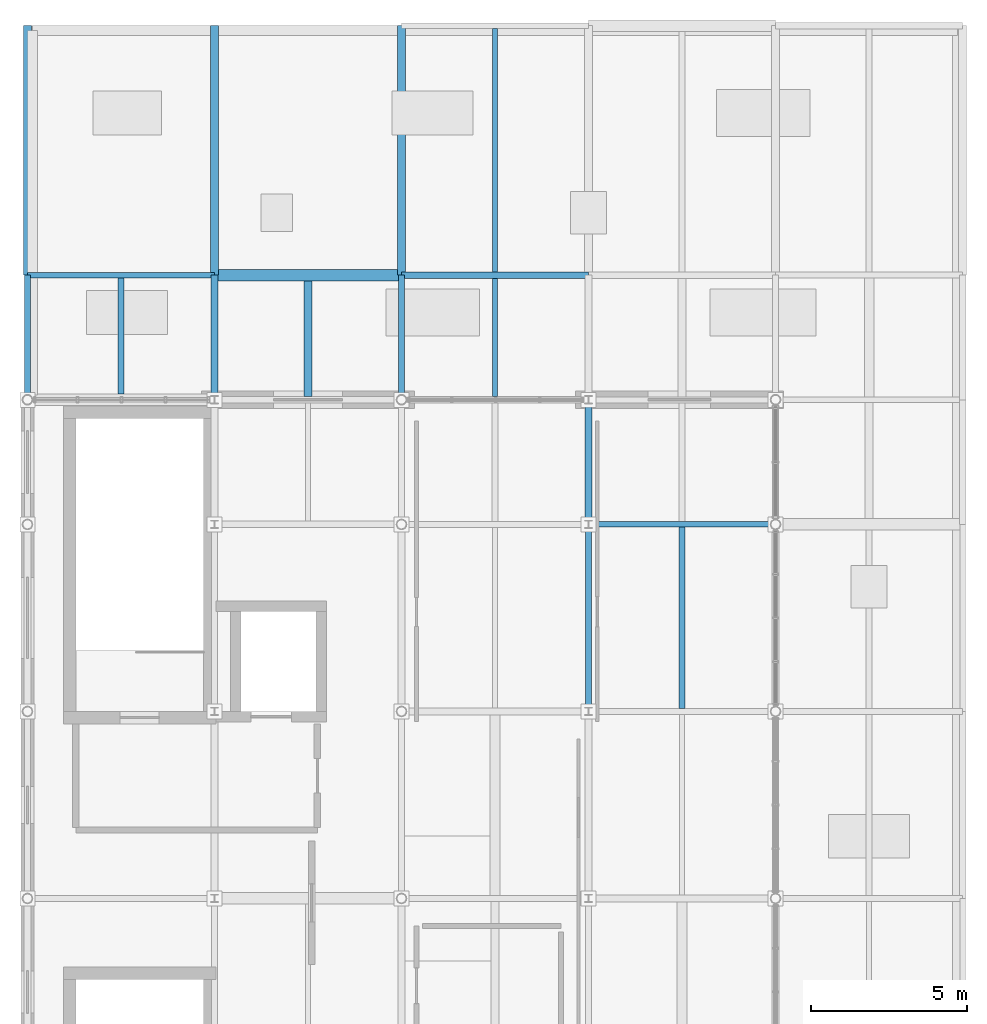
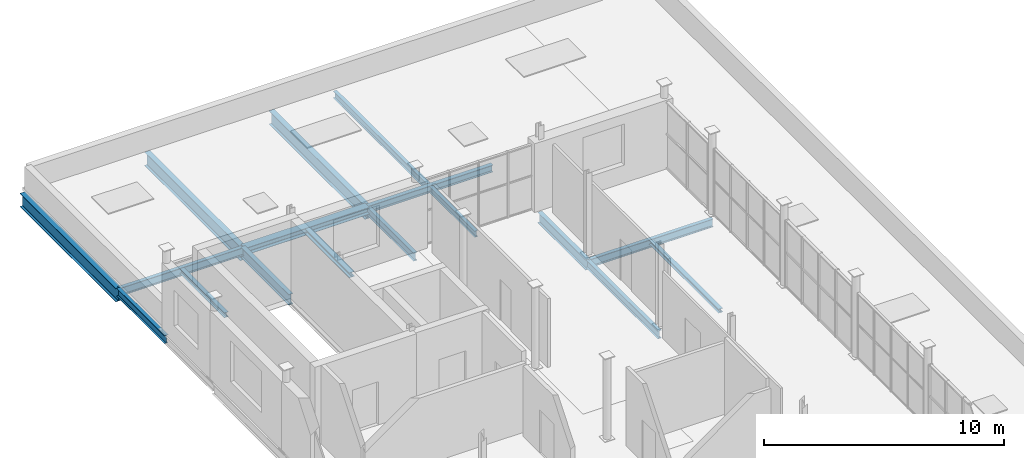
# One storey, part 18 of 27: 17 beams.
"""IFC4 building model written with IfcOpenShell, lengths in metres."""

from ifc_helpers import new_model, si_unit, direction, frame, origin, origin_2d, place, context, subcontext, project, spatial, i_section, extrude, material, material_profile, profile_set, type_object, element, save


model = new_model("IFC4")

# Units and contexts
model_context = context("Model", 3, precision=1e-05, world=origin(), true_north=direction((0.0, 1.0)))
body_context = subcontext(model_context, "Body", "Model", "MODEL_VIEW")
ifc_project = project(units=[si_unit("LENGTHUNIT", "METRE"), si_unit("AREAUNIT", "SQUARE_METRE"), si_unit("VOLUMEUNIT", "CUBIC_METRE"), si_unit("PLANEANGLEUNIT", "RADIAN"), si_unit("MASSUNIT", "GRAM", prefix="KILO")], contexts=[model_context])

# Site, building, storey
site_placement = place(None, origin())
site = spatial("IfcSite", under=ifc_project, at=site_placement, CompositionType="ELEMENT")
building_placement = place(site_placement, origin())
building = spatial("IfcBuilding", under=site, at=building_placement, Name="Verrall Gate Interchange", CompositionType="ELEMENT")
storey_placement = place(building_placement, frame((0.0, 0.0, 28.60009765625)))
storey = spatial("IfcBuildingStorey", under=building, at=storey_placement, Name="L07", CompositionType="ELEMENT", Elevation=28.60009765625)

# Beams
ifc_material_1 = material(Name="Structural Steel CSA G40.21 350WT Cat 4", Category="steel")
ifc_material_profile_1 = material_profile(ifc_material_1, i_section(OverallWidth=0.256103515625, OverallDepth=0.693115234375, WebThickness=0.01318359375, FlangeThickness=0.02001953125, FilletRadius=0.01611328125, at=origin_2d()), Name="W690x170")
ifc_profile_set_1 = profile_set([ifc_material_profile_1], Name="Structural Steel CSA G40.21 350WT Cat 4")
beam_type_1 = type_object("IfcBeamType", Name="B-07 Structural Beam W690x170", PredefinedType="BEAM", material=ifc_profile_set_1)
for number, where, z_axis, x_axis, name in (
    (1, (6.0, 48.0, -0.606689453125), (0.0, 1.0, 0.0), (-1.0, 0.0, 0.0), "L07 Girder BM-L07-3272 (B-07)"),
    (2, (12.0, 48.0, -0.606689453125), (0.0, 1.0, 0.0), (-1.0, 0.0, 0.0), "L07 Girder BM-L07-3281 (B-07)"),
    (3, (18.0, 48.0, -0.606689453125), (0.0, 1.0, 0.0), (-1.0, 0.0, 0.0), "L07 Girder BM-L07-3290 (B-07)"),
):
    element("IfcBeam", number, at=place(storey_placement, frame(where, z_axis=z_axis, x_axis=x_axis)), inside=storey, type_object=beam_type_1, Name=name, PredefinedType="BEAM", context=body_context, shape_type="SweptSolid", body=[
        extrude(i_section(OverallWidth=0.256103515625, OverallDepth=0.693115234375, WebThickness=0.01318359375, FlangeThickness=0.02001953125, FilletRadius=0.01611328125, at=origin_2d()), origin(), (0.0, 0.0, 1.0), 8.0),
    ])
ifc_material_2 = material(Name="Structural Steel CSA G40.21 350W", Category="steel")
ifc_material_profile_2 = material_profile(ifc_material_2, i_section(OverallWidth=0.2109375, OverallDepth=0.5390625, WebThickness=0.01171875, FlangeThickness=0.018798828125, FilletRadius=0.013916015625, at=origin_2d()), Name="W530x109")
ifc_profile_set_2 = profile_set([ifc_material_profile_2], Name="Structural Steel CSA G40.21 350W")
beam_type_2 = type_object("IfcBeamType", Name="B-10 Structural Beam W530x109", PredefinedType="BEAM", material=ifc_profile_set_2)
for number, where, z_axis, x_axis, name in (
    (4, (12.0, 44.0, -0.529541015625), (0.0, 1.0, 0.0), (-1.0, 0.0, 0.0), "L07 Girder BM-L07-3280 (B-10)"),
    (5, (24.0, 40.0, -0.529541015625), (0.0, 1.0, 0.0), (-1.0, 0.0, 0.0), "L07 Girder BM-L07-3297 (B-10)"),
):
    element("IfcBeam", number, at=place(storey_placement, frame(where, z_axis=z_axis, x_axis=x_axis)), inside=storey, type_object=beam_type_2, Name=name, PredefinedType="BEAM", context=body_context, shape_type="SweptSolid", body=[
        extrude(i_section(OverallWidth=0.2109375, OverallDepth=0.5390625, WebThickness=0.01171875, FlangeThickness=0.018798828125, FilletRadius=0.013916015625, at=origin_2d()), origin(), (0.0, 0.0, 1.0), 4.0),
    ])
ifc_material_3 = material(Name="Structural Steel CSA G40.21 350W", Category="steel")
ifc_material_profile_3 = material_profile(ifc_material_3, i_section(OverallWidth=0.178955078125, OverallDepth=0.409912109375, WebThickness=0.0087890625, FlangeThickness=0.014404296875, FilletRadius=0.011962890625, at=origin_2d()), Name="W410x67")
ifc_profile_set_3 = profile_set([ifc_material_profile_3], Name="Structural Steel CSA G40.21 350W")
beam_type_3 = type_object("IfcBeamType", Name="B-12 Structural Beam W410x67", PredefinedType="BEAM", material=ifc_profile_set_3)
for number, where, z_axis, x_axis, name in (
    (6, (24.0, 40.0, -0.465087890625), (1.0, 0.0, 0.0), (0.0, 1.0, 0.0), "L07 Girder BM-L07-3249 (B-12)"),
    (7, (6.0, 48.0, -0.465087890625), (1.0, 0.0, 0.0), (0.0, 1.0, 0.0), "L07 Girder BM-L07-3256 (B-12)"),
):
    element("IfcBeam", number, at=place(storey_placement, frame(where, z_axis=z_axis, x_axis=x_axis)), inside=storey, type_object=beam_type_3, Name=name, PredefinedType="BEAM", context=body_context, shape_type="SweptSolid", body=[
        extrude(i_section(OverallWidth=0.178955078125, OverallDepth=0.409912109375, WebThickness=0.0087890625, FlangeThickness=0.014404296875, FilletRadius=0.011962890625, at=origin_2d()), origin(), (0.0, 0.0, 1.0), 6.0),
    ])
for number, where, z_axis, x_axis, name in (
    (8, (6.0, 44.0, -0.465087890625), (0.0, 1.0, 0.0), (-1.0, 0.0, 0.0), "L07 Girder BM-L07-3271 (B-12)"),
    (9, (18.0, 44.0, -0.465087890625), (0.0, 1.0, 0.0), (-1.0, 0.0, 0.0), "L07 Girder BM-L07-3289 (B-12)"),
):
    element("IfcBeam", number, at=place(storey_placement, frame(where, z_axis=z_axis, x_axis=x_axis)), inside=storey, type_object=beam_type_3, Name=name, PredefinedType="BEAM", context=body_context, shape_type="SweptSolid", body=[
        extrude(i_section(OverallWidth=0.178955078125, OverallDepth=0.409912109375, WebThickness=0.0087890625, FlangeThickness=0.014404296875, FilletRadius=0.011962890625, at=origin_2d()), origin(), (0.0, 0.0, 1.0), 4.0),
    ])
beam_1_placement = place(storey_placement, frame((24.0, 34.0, -0.465087890625), z_axis=(0.0, 1.0, 0.0), x_axis=(-1.0, 0.0, 0.0)))
element("IfcBeam", 10, at=beam_1_placement, inside=storey, type_object=beam_type_3, Name="L07 Girder BM-L07-3296 (B-12)", PredefinedType="BEAM", context=body_context, shape_type="SweptSolid", body=[
    extrude(i_section(OverallWidth=0.178955078125, OverallDepth=0.409912109375, WebThickness=0.0087890625, FlangeThickness=0.014404296875, FilletRadius=0.011962890625, at=origin_2d()), origin(), (0.0, 0.0, 1.0), 6.0),
])
ifc_material_4 = material(Name="Structural Steel CSA G40.21 350W", Category="steel")
ifc_material_profile_4 = material_profile(ifc_material_4, i_section(OverallWidth=0.368896484375, OverallDepth=0.35595703125, WebThickness=0.01123046875, FlangeThickness=0.01806640625, FilletRadius=0.014892578125, at=origin_2d()), Name="W360x134")
ifc_profile_set_4 = profile_set([ifc_material_profile_4], Name="Structural Steel CSA G40.21 350W")
beam_type_4 = type_object("IfcBeamType", Name="B-13 Structural Beam W360x134", PredefinedType="BEAM", material=ifc_profile_set_4)
beam_2_placement = place(storey_placement, frame((12.0, 48.0, -0.43798828125), z_axis=(1.0, 0.0, 0.0), x_axis=(0.0, 1.0, 0.0)))
element("IfcBeam", 11, at=beam_2_placement, inside=storey, type_object=beam_type_4, Name="L07 Girder BM-L07-3257 (B-13)", PredefinedType="BEAM", context=body_context, shape_type="SweptSolid", body=[
    extrude(i_section(OverallWidth=0.368896484375, OverallDepth=0.35595703125, WebThickness=0.01123046875, FlangeThickness=0.01806640625, FilletRadius=0.014892578125, at=origin_2d()), origin(), (0.0, 0.0, 1.0), 6.0),
])
ifc_material_5 = material(Name="Structural Steel CSA G40.21 350W", Category="steel")
ifc_material_profile_5 = material_profile(ifc_material_5, i_section(OverallWidth=0.205078125, OverallDepth=0.35400390625, WebThickness=0.009521484375, FlangeThickness=0.016845703125, FilletRadius=0.012939453125, at=origin_2d()), Name="W360x79")
ifc_profile_set_5 = profile_set([ifc_material_profile_5], Name="Structural Steel CSA G40.21 350W")
beam_type_5 = type_object("IfcBeamType", Name="B-14 Structural Beam W360x79", PredefinedType="BEAM", material=ifc_profile_set_5)
beam_3_placement = place(storey_placement, frame((18.0, 48.0, -0.43701171875), z_axis=(1.0, 0.0, 0.0), x_axis=(0.0, 1.0, 0.0)))
element("IfcBeam", 12, at=beam_3_placement, inside=storey, type_object=beam_type_5, Name="L07 Girder BM-L07-3258 (B-14)", PredefinedType="BEAM", context=body_context, shape_type="SweptSolid", body=[
    extrude(i_section(OverallWidth=0.205078125, OverallDepth=0.35400390625, WebThickness=0.009521484375, FlangeThickness=0.016845703125, FilletRadius=0.012939453125, at=origin_2d()), origin(), (0.0, 0.0, 1.0), 6.0),
])
ifc_material_6 = material(Name="Structural Steel CSA G40.21 350W", Category="steel")
ifc_material_profile_6 = material_profile(ifc_material_6, i_section(OverallWidth=0.172119140625, OverallDepth=0.35791015625, WebThickness=0.0078125, FlangeThickness=0.01318359375, FilletRadius=0.010986328125, at=origin_2d()), Name="W360x57")
ifc_profile_set_6 = profile_set([ifc_material_profile_6], Name="Structural Steel CSA G40.21 350W")
beam_type_6 = type_object("IfcBeamType", Name="J-01 Floor Joist W360x57", PredefinedType="JOIST", material=ifc_profile_set_6)
beam_4_placement = place(storey_placement, frame((21.0, 48.1025390625, -0.439208984375), z_axis=(0.0, 1.0, 0.0), x_axis=(-1.0, 0.0, 0.0)))
element("IfcBeam", 13, at=beam_4_placement, inside=storey, type_object=beam_type_6, Name="L07 Secondary Floor Joist JST-L07-3348", PredefinedType="JOIST", context=body_context, shape_type="SweptSolid", body=[
    extrude(i_section(OverallWidth=0.172119140625, OverallDepth=0.35791015625, WebThickness=0.0078125, FlangeThickness=0.01318359375, FilletRadius=0.010986328125, at=origin_2d()), origin(), (0.0, 0.0, 1.0), 7.807861328125),
])
ifc_material_7 = material(Name="Structural Steel CSA G40.21 350W", Category="steel")
ifc_material_profile_7 = material_profile(ifc_material_7, i_section(OverallWidth=0.1650390625, OverallDepth=0.31005859375, WebThickness=0.005859375, FlangeThickness=0.009765625, FilletRadius=0.010009765625, at=origin_2d()), Name="W310x39")
ifc_profile_set_7 = profile_set([ifc_material_profile_7], Name="Structural Steel CSA G40.21 350W")
beam_type_7 = type_object("IfcBeamType", Name="J-04 Floor Joist W310x39", PredefinedType="JOIST", material=ifc_profile_set_7)
beam_5_placement = place(storey_placement, frame((21.0, 44.10546875, -0.4150390625), z_axis=(0.0, 1.0, 0.0), x_axis=(-1.0, 0.0, 0.0)))
element("IfcBeam", 14, at=beam_5_placement, inside=storey, type_object=beam_type_7, Name="L07 Secondary Floor Joist JST-L07-3345", PredefinedType="JOIST", context=body_context, shape_type="SweptSolid", body=[
    extrude(i_section(OverallWidth=0.1650390625, OverallDepth=0.31005859375, WebThickness=0.005859375, FlangeThickness=0.009765625, FilletRadius=0.010009765625, at=origin_2d()), origin(), (0.0, 0.0, 1.0), 3.7919921875),
])
ifc_material_8 = material(Name="Structural Steel CSA G40.21 350W", Category="steel")
ifc_material_profile_8 = material_profile(ifc_material_8, i_section(OverallWidth=0.25390625, OverallDepth=0.2529296875, WebThickness=0.008544921875, FlangeThickness=0.01416015625, FilletRadius=0.011962890625, at=origin_2d()), Name="W250x73")
ifc_profile_set_8 = profile_set([ifc_material_profile_8], Name="Structural Steel CSA G40.21 350W")
beam_type_8 = type_object("IfcBeamType", Name="J-05 Floor Joist W250x73", PredefinedType="JOIST", material=ifc_profile_set_8)
beam_6_placement = place(storey_placement, frame((15.0, 44.1025390625, -0.38671875), z_axis=(0.0, 1.0, 0.0), x_axis=(-1.0, 0.0, 0.0)))
element("IfcBeam", 15, at=beam_6_placement, inside=storey, type_object=beam_type_8, Name="L07 Secondary Floor Joist JST-L07-3344", PredefinedType="JOIST", context=body_context, shape_type="SweptSolid", body=[
    extrude(i_section(OverallWidth=0.25390625, OverallDepth=0.2529296875, WebThickness=0.008544921875, FlangeThickness=0.01416015625, FilletRadius=0.011962890625, at=origin_2d()), origin(), (0.0, 0.0, 1.0), 3.712890625),
])
ifc_material_9 = material(Name="Structural Steel CSA G40.21 350W", Category="steel")
ifc_material_profile_9 = material_profile(ifc_material_9, i_section(OverallWidth=0.201904296875, OverallDepth=0.2470703125, WebThickness=0.00732421875, FlangeThickness=0.010986328125, FilletRadius=0.010986328125, at=origin_2d()), Name="W250x49")
ifc_profile_set_9 = profile_set([ifc_material_profile_9], Name="Structural Steel CSA G40.21 350W")
beam_type_9 = type_object("IfcBeamType", Name="J-06 Floor Joist W250x49", PredefinedType="JOIST", material=ifc_profile_set_9)
beam_7_placement = place(storey_placement, frame((9.0, 44.1845703125, -0.383544921875), z_axis=(0.0, 1.0, 0.0), x_axis=(-1.0, 0.0, 0.0)))
element("IfcBeam", 16, at=beam_7_placement, inside=storey, type_object=beam_type_9, Name="L07 Secondary Floor Joist JST-L07-3343", PredefinedType="JOIST", context=body_context, shape_type="SweptSolid", body=[
    extrude(i_section(OverallWidth=0.201904296875, OverallDepth=0.2470703125, WebThickness=0.00732421875, FlangeThickness=0.010986328125, FilletRadius=0.010986328125, at=origin_2d()), origin(), (0.0, 0.0, 1.0), 3.725830078125),
])
ifc_material_10 = material(Name="Structural Steel CSA G40.21 350W", Category="steel")
ifc_material_profile_10 = material_profile(ifc_material_10, i_section(OverallWidth=0.202880859375, OverallDepth=0.202880859375, WebThickness=0.007080078125, FlangeThickness=0.010986328125, FilletRadius=0.010009765625, at=origin_2d()), Name="W200x46")
ifc_profile_set_10 = profile_set([ifc_material_profile_10], Name="Structural Steel CSA G40.21 350W")
beam_type_10 = type_object("IfcBeamType", Name="J-07 Floor Joist W200x46", PredefinedType="JOIST", material=ifc_profile_set_10)
beam_8_placement = place(storey_placement, frame((27.0, 34.095947265625, -0.361572265625), z_axis=(0.0, 1.0, 0.0), x_axis=(-1.0, 0.0, 0.0)))
element("IfcBeam", 17, at=beam_8_placement, inside=storey, type_object=beam_type_10, Name="L07 Secondary Floor Joist JST-L07-3337", PredefinedType="JOIST", context=body_context, shape_type="SweptSolid", body=[
    extrude(i_section(OverallWidth=0.202880859375, OverallDepth=0.202880859375, WebThickness=0.007080078125, FlangeThickness=0.010986328125, FilletRadius=0.010009765625, at=origin_2d()), origin(), (0.0, 0.0, 1.0), 5.814453125),
])

save(model, "model.ifc")
